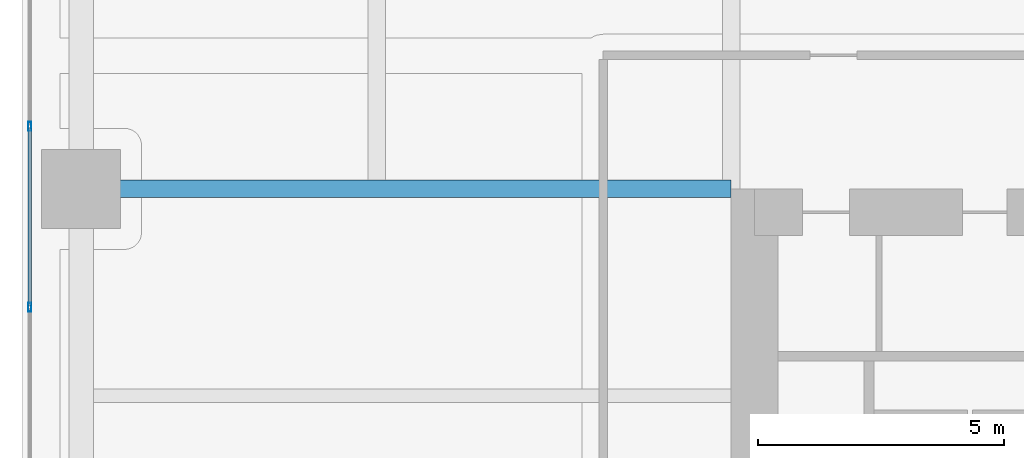
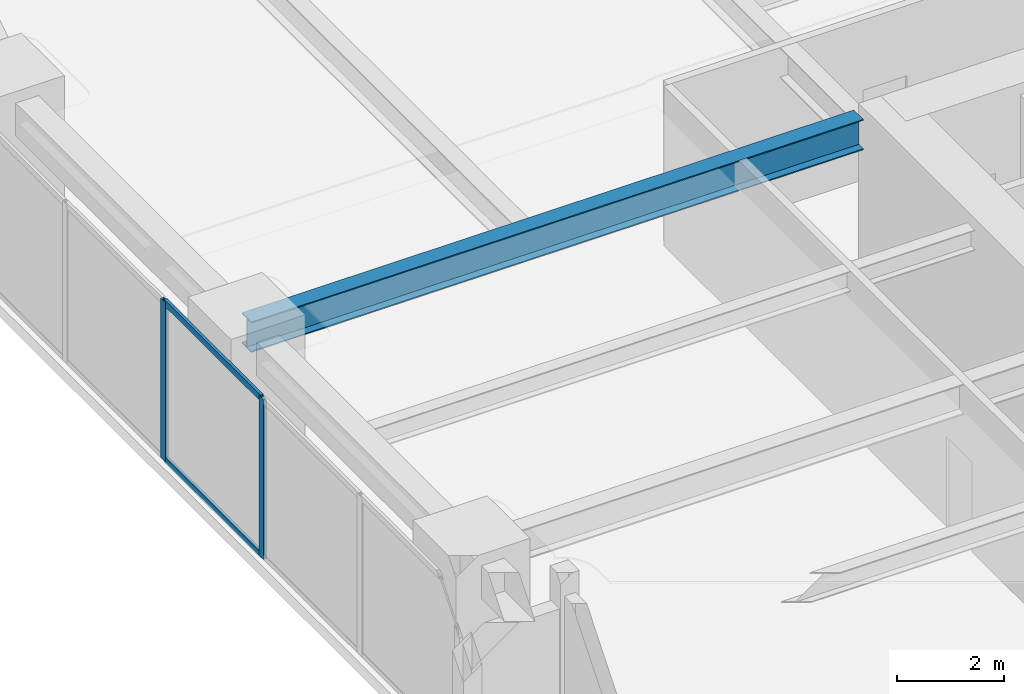
# One storey, part 11 of 29: 4 members, 1 beam, 1 element without a shape of its own.
"""IFC4 building model written with IfcOpenShell, lengths in metres."""

from ifc_helpers import new_model, si_unit, direction, frame, origin, origin_2d, place, context, subcontext, project, spatial, hollow_rectangle, i_section, extrude, material, layer, layer_set, material_profile, profile_set, type_object, element, aggregate, save


model = new_model("IFC4")

# Units and contexts
model_context = context("Model", 3, precision=1e-05, world=origin(), true_north=direction((0.0, 1.0)))
body_context = subcontext(model_context, "Body", "Model", "MODEL_VIEW")
ifc_project = project(units=[si_unit("LENGTHUNIT", "METRE"), si_unit("AREAUNIT", "SQUARE_METRE"), si_unit("VOLUMEUNIT", "CUBIC_METRE"), si_unit("PLANEANGLEUNIT", "RADIAN"), si_unit("MASSUNIT", "GRAM", prefix="KILO")], contexts=[model_context])

# Site, building, storey
site_placement = place(None, origin())
site = spatial("IfcSite", under=ifc_project, at=site_placement, CompositionType="ELEMENT")
building_placement = place(site_placement, origin())
building = spatial("IfcBuilding", under=site, at=building_placement, Name="Kiyonajd Concourse Tower", CompositionType="ELEMENT")
storey_placement = place(building_placement, frame((0.0, 0.0, 48.89990234375)))
storey = spatial("IfcBuildingStorey", under=building, at=storey_placement, Name="L13", CompositionType="ELEMENT", Elevation=48.89990234375)

# Beam
ifc_material_1 = material(Name="Steel ASTM A992 Grade 50", Category="steel")
ifc_material_profile_1 = material_profile(ifc_material_1, i_section(OverallWidth=0.35498046875, OverallDepth=0.695068359375, WebThickness=0.015380859375, FlangeThickness=0.02490234375, at=origin_2d()), Name="W690X217")
ifc_profile_set_1 = profile_set([ifc_material_profile_1], Name="Steel ASTM A992 Grade 50")
beam_type = type_object("IfcBeamType", Name="BM-TWR-690", PredefinedType="BEAM", material=ifc_profile_set_1)
beam_placement = place(storey_placement, frame((19.199951171875, 44.39990234375, 3.29248046875), z_axis=(1.0, 0.0, 0.0), x_axis=(0.0, 1.0, 0.0)))
element("IfcBeam", 1, at=beam_placement, inside=storey, type_object=beam_type, Name="L13 West Lease Girder", PredefinedType="BEAM", context=body_context, shape_type="SweptSolid", body=[
    extrude(i_section(OverallWidth=0.35498046875, OverallDepth=0.695068359375, WebThickness=0.015380859375, FlangeThickness=0.02490234375, at=origin_2d()), origin(), (0.0, 0.0, 1.0), 13.199951171875),
])

# Curtain wall, members
ifc_material_2 = material(Name="Thermally Broken Anodised Aluminium", Category="aluminium")
ifc_layer = layer(ifc_material_2, 0.179931640625)
ifc_layer_set = layer_set([ifc_layer], Name="Thermally Broken Anodised Aluminium")
curtain_wall_type = type_object("IfcCurtainWallType", Name="CW-SYS-02", PredefinedType="NOTDEFINED", material=ifc_layer_set)
curtain_wall_placement = place(storey_placement, origin())
curtain_wall = element("IfcCurtainWall", 2, at=curtain_wall_placement, inside=storey, type_object=curtain_wall_type, Name="L13 Unitised Curtain Wall CW2", PredefinedType="NOTDEFINED")
ifc_material_profile_2 = material_profile(ifc_material_2, hollow_rectangle(XDim=0.06494140625, YDim=0.179931640625, WallThickness=0.00390625, at=origin_2d()), Name="MULL-65x180")
ifc_profile_set_2 = profile_set([ifc_material_profile_2], Name="Thermally Broken Anodised Aluminium")
member_type_1 = type_object("IfcMemberType", Name="MB-CW-MULL1", PredefinedType="MULLION", material=ifc_profile_set_2)
member_1_placement = place(storey_placement, frame((18.159912109375, 41.996337890625, 0.0), z_axis=(0.0, 0.0, 1.0), x_axis=(-1.0, 0.0, 0.0)))
member_1 = element("IfcMember", 3, at=member_1_placement, type_object=member_type_1, Name="CW2 mullion 3", PredefinedType="MULLION", context=body_context, shape_type="SweptSolid", body=[
    extrude(hollow_rectangle(XDim=0.06494140625, YDim=0.179931640625, WallThickness=0.00390625, at=origin_2d()), origin(), (0.0, 0.0, 1.0), 3.64013671875),
])
member_2_placement = place(storey_placement, frame((18.159912109375, 45.66943359375, 0.0), z_axis=(0.0, 0.0, 1.0), x_axis=(-1.0, 0.0, 0.0)))
member_2 = element("IfcMember", 4, at=member_2_placement, type_object=member_type_1, Name="CW2 mullion 4", PredefinedType="MULLION", context=body_context, shape_type="SweptSolid", body=[
    extrude(hollow_rectangle(XDim=0.06494140625, YDim=0.179931640625, WallThickness=0.00390625, at=origin_2d()), origin(), (0.0, 0.0, 1.0), 3.64013671875),
])
ifc_material_profile_3 = material_profile(ifc_material_2, hollow_rectangle(XDim=0.06494140625, YDim=0.139892578125, WallThickness=0.00390625, at=origin_2d()), Name="TRAN-65x140")
ifc_profile_set_3 = profile_set([ifc_material_profile_3], Name="Thermally Broken Anodised Aluminium")
member_type_2 = type_object("IfcMemberType", Name="MB-CW-TRAN1", PredefinedType="USERDEFINED", material=ifc_profile_set_3)
member_3_placement = place(storey_placement, frame((18.159912109375, 42.02880859375, 0.03271484375), z_axis=(0.0, 1.0, 0.0), x_axis=(-1.0, 0.0, 0.0)))
member_3 = element("IfcMember", 5, at=member_3_placement, type_object=member_type_2, Name="CW2 transom 3.1", ObjectType="TRANSOM", PredefinedType="USERDEFINED", context=body_context, shape_type="SweptSolid", body=[
    extrude(hollow_rectangle(XDim=0.06494140625, YDim=0.139892578125, WallThickness=0.00390625, at=origin_2d()), origin(), (0.0, 0.0, 1.0), 3.608154296875),
])
member_4_placement = place(storey_placement, frame((18.159912109375, 42.02880859375, 3.607666015625), z_axis=(0.0, 1.0, 0.0), x_axis=(-1.0, 0.0, 0.0)))
member_4 = element("IfcMember", 6, at=member_4_placement, type_object=member_type_2, Name="CW2 transom 3.2", ObjectType="TRANSOM", PredefinedType="USERDEFINED", context=body_context, shape_type="SweptSolid", body=[
    extrude(hollow_rectangle(XDim=0.06494140625, YDim=0.139892578125, WallThickness=0.00390625, at=origin_2d()), origin(), (0.0, 0.0, 1.0), 3.608154296875),
])
aggregate(curtain_wall, [member_1, member_2, member_3, member_4])

save(model, "model.ifc")
